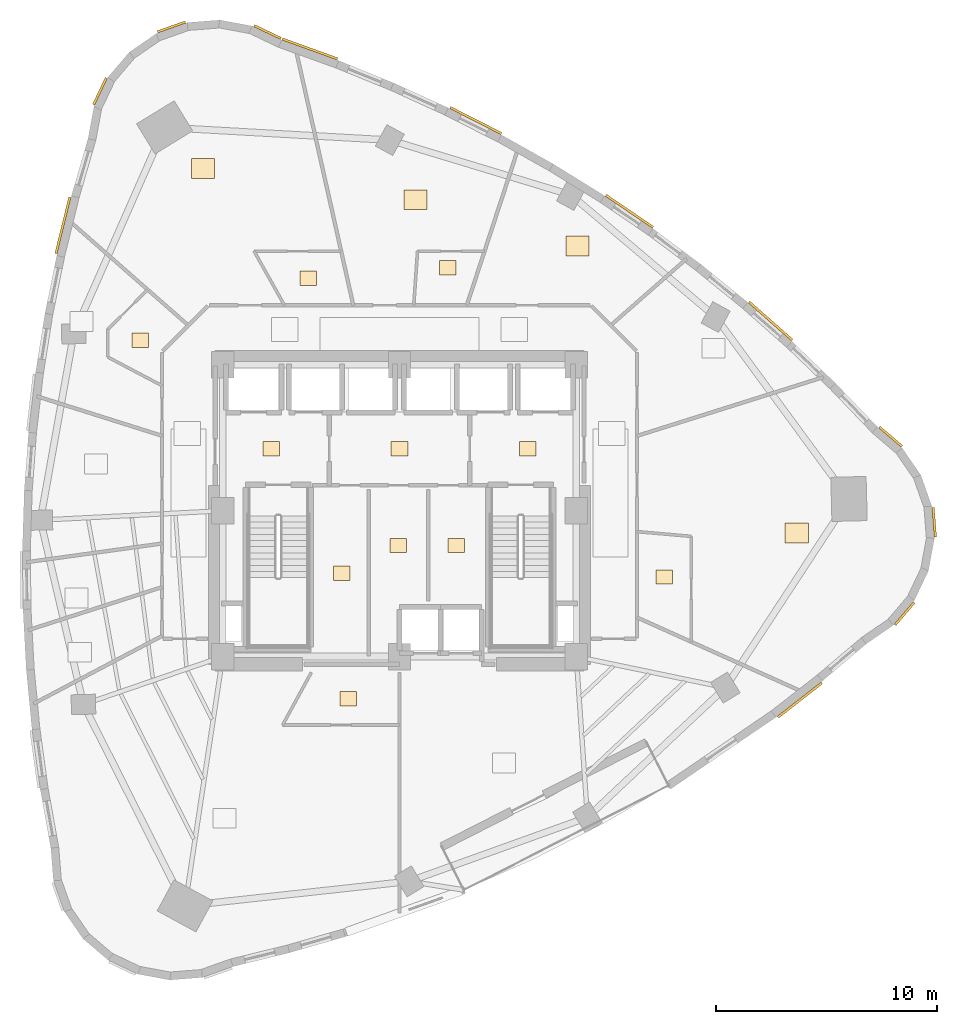
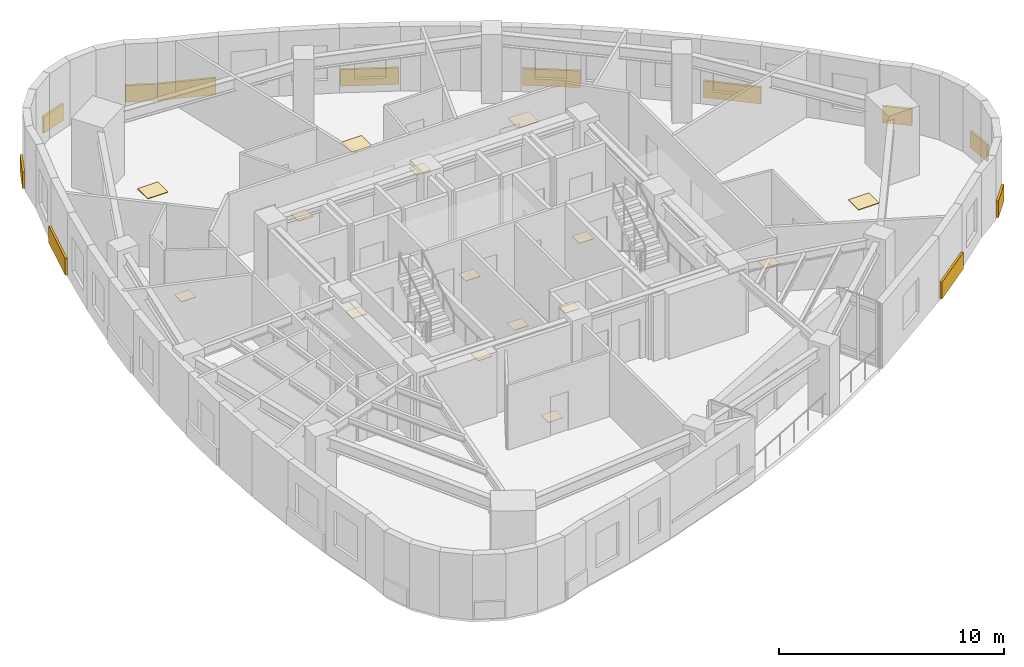
# One storey, part 11 of 11: 27 coverings.
"""IFC4 building model written with IfcOpenShell, lengths in metres."""

from ifc_helpers import new_model, si_unit, direction, frame, origin, origin_2d, place, context, subcontext, project, spatial, rectangle, extrude, material, layer, layer_set, type_object, element, save


model = new_model("IFC4")

# Units and contexts
model_context = context("Model", 3, precision=1e-05, world=origin(), true_north=direction((0.0, 1.0)))
body_context = subcontext(model_context, "Body", "Model", "MODEL_VIEW")
ifc_project = project(units=[si_unit("LENGTHUNIT", "METRE"), si_unit("AREAUNIT", "SQUARE_METRE"), si_unit("VOLUMEUNIT", "CUBIC_METRE"), si_unit("PLANEANGLEUNIT", "RADIAN"), si_unit("MASSUNIT", "GRAM", prefix="KILO")], contexts=[model_context])

# Site, building, storey
site_placement = place(None, origin())
site = spatial("IfcSite", under=ifc_project, at=site_placement, CompositionType="ELEMENT")
building_placement = place(site_placement, origin())
building = spatial("IfcBuilding", under=site, at=building_placement, Name="Ndelora Gate Hotel", CompositionType="ELEMENT")
storey_placement = place(building_placement, frame((0.0, 0.0, 108.5)))
storey = spatial("IfcBuildingStorey", under=building, at=storey_placement, Name="L26", CompositionType="ELEMENT", Elevation=108.5)

# Coverings
ifc_material_1 = material(Name="Terracotta Fired Clay Brick Slip Cladding", Category="masonry")
ifc_layer_1 = layer(ifc_material_1, 0.110107421875)
ifc_layer_set_1 = layer_set([ifc_layer_1], Name="Terracotta Fired Clay Brick Slip Cladding")
covering_type_1 = type_object("IfcCoveringType", Name="COV-CLAD-BRK", PredefinedType="CLADDING", material=ifc_layer_set_1)
for number, where, z_axis, x_axis, name in (
    (1, (-5.97802734375, 21.669921875, 0.10009765625), (0.0, 0.0, 1.0), (-0.90258528435, 0.430511096808, 0.0), "L26 Rounded-Corner Brick Cladding Band 1"),
    (2, (-10.32421875, 21.897705078125, 0.10009765625), (0.0, 0.0, 1.0), (0.942641491092, 0.333806859234, 0.0), "L26 Rounded-Corner Brick Cladding Band 4"),
    (3, (-13.558837890625, 18.9853515625, 0.10009765625), (0.0, 0.0, 1.0), (0.430511096808, 0.90258528435, 0.0), "L26 Rounded-Corner Brick Cladding Band 7"),
):
    element("IfcCovering", number, at=place(storey_placement, frame(where, z_axis=z_axis, x_axis=x_axis)), inside=storey, type_object=covering_type_1, Name=name, PredefinedType="CLADDING", context=body_context, shape_type="SweptSolid", body=[
        extrude(rectangle(XDim=1.3359375, YDim=0.110107421875, at=origin_2d()), origin(), (0.0, 0.0, 1.0), 0.89990234375),
    ])
covering_1_placement = place(storey_placement, frame((-15.237060546875, 12.914306640625, 0.10009765625), z_axis=(0.0, 0.0, 1.0), x_axis=(0.239041909578, 0.971009250968, 0.0)))
element("IfcCovering", 4, at=covering_1_placement, inside=storey, type_object=covering_type_1, Name="L26 Rounded-Corner Brick Cladding Band 10", PredefinedType="CLADDING", context=body_context, shape_type="SweptSolid", body=[
    extrude(rectangle(XDim=2.626953125, YDim=0.110107421875, at=origin_2d()), origin(), (0.0, 0.0, 1.0), 0.89990234375),
])
covering_2_placement = place(storey_placement, frame((18.12548828125, -8.567138671875, 0.10009765625), z_axis=(0.0, 0.0, 1.0), x_axis=(0.788333005168, 0.615248789485, 0.0)))
element("IfcCovering", 5, at=covering_2_placement, inside=storey, type_object=covering_type_1, Name="L26 Rounded-Corner Brick Cladding Band 37", PredefinedType="CLADDING", context=body_context, shape_type="SweptSolid", body=[
    extrude(rectangle(XDim=2.52001953125, YDim=0.110107421875, at=origin_2d()), origin(), (0.0, 0.0, 1.0), 0.89990234375),
])
for number, where, z_axis, x_axis, name in (
    (6, (22.85888671875, -4.664306640625, 0.10009765625), (0.0, 0.0, 1.0), (0.64944804833, 0.7604059656, 0.0), "L26 Rounded-Corner Brick Cladding Band 40"),
    (7, (24.203857421875, -0.525390625, 0.10009765625), (0.0, 0.0, 1.0), (-0.078459095728, 0.996917333733, 0.0), "L26 Rounded-Corner Brick Cladding Band 43"),
    (8, (22.227783203125, 3.352783203125, 0.10009765625), (0.0, 0.0, 1.0), (-0.7604059656, 0.64944804833, 0.0), "L26 Rounded-Corner Brick Cladding Band 46"),
):
    element("IfcCovering", number, at=place(storey_placement, frame(where, z_axis=z_axis, x_axis=x_axis)), inside=storey, type_object=covering_type_1, Name=name, PredefinedType="CLADDING", context=body_context, shape_type="SweptSolid", body=[
        extrude(rectangle(XDim=1.3359375, YDim=0.110107421875, at=origin_2d()), origin(), (0.0, 0.0, 1.0), 0.89990234375),
    ])
covering_3_placement = place(storey_placement, frame((16.797119140625, 8.586181640625, 0.10009765625), z_axis=(0.0, 0.0, 1.0), x_axis=(-0.749418134297, 0.662097017051, 0.0)))
element("IfcCovering", 9, at=covering_3_placement, inside=storey, type_object=covering_type_1, Name="L26 Rounded-Corner Brick Cladding Band 49", PredefinedType="CLADDING", context=body_context, shape_type="SweptSolid", body=[
    extrude(rectangle(XDim=2.60791015625, YDim=0.110107421875, at=origin_2d()), origin(), (0.0, 0.0, 1.0), 0.89990234375),
])
covering_4_placement = place(storey_placement, frame((10.405517578125, 13.5546875, 0.10009765625), z_axis=(0.0, 0.0, 1.0), x_axis=(-0.826884319778, 0.562372049186, 0.0)))
element("IfcCovering", 10, at=covering_4_placement, inside=storey, type_object=covering_type_1, Name="L26 Rounded-Corner Brick Cladding Band 52", PredefinedType="CLADDING", context=body_context, shape_type="SweptSolid", body=[
    extrude(rectangle(XDim=2.580078125, YDim=0.110107421875, at=origin_2d()), origin(), (0.0, 0.0, 1.0), 0.89990234375),
])
covering_5_placement = place(storey_placement, frame((3.45361328125, 17.660400390625, 0.10009765625), z_axis=(0.0, 0.0, 1.0), x_axis=(-0.891560513111, 0.452901591366, 0.0)))
element("IfcCovering", 11, at=covering_5_placement, inside=storey, type_object=covering_type_1, Name="L26 Rounded-Corner Brick Cladding Band 55", PredefinedType="CLADDING", context=body_context, shape_type="SweptSolid", body=[
    extrude(rectangle(XDim=2.593994140625, YDim=0.110107421875, at=origin_2d()), origin(), (0.0, 0.0, 1.0), 0.89990234375),
])
covering_6_placement = place(storey_placement, frame((-4.0576171875, 20.90283203125, 0.10009765625), z_axis=(0.0, 0.0, 1.0), x_axis=(-0.940644056006, 0.339394696335, 0.0)))
element("IfcCovering", 12, at=covering_6_placement, inside=storey, type_object=covering_type_1, Name="L26 Rounded-Corner Brick Cladding Band 58", PredefinedType="CLADDING", context=body_context, shape_type="SweptSolid", body=[
    extrude(rectangle(XDim=2.65087890625, YDim=0.110107421875, at=origin_2d()), origin(), (0.0, 0.0, 1.0), 0.89990234375),
])
ifc_material_2 = material(Name="Engineered Highland Oak Parquet", Category="wood")
ifc_layer_2 = layer(ifc_material_2, 0.030029296875)
ifc_layer_set_2 = layer_set([ifc_layer_2], Name="Engineered Highland Oak Parquet")
covering_type_2 = type_object("IfcCoveringType", Name="COV-FLR-PARQ", PredefinedType="FLOORING", material=ifc_layer_set_2)
for number, where, z_axis, x_axis, name in (
    (13, (17.982421875, -1.013427734375, 0.0), (0.0, 0.0, 1.0), (1.0, 0.0, 0.0), "L26 Club King Junior Suite 2902 Oak Parquet Flooring"),
    (14, (8.057861328125, 11.989990234375, 0.0), (0.0, 0.0, 1.0), (1.0, 0.0, 0.0), "L26 Diplomatic Meeting Room Oak Parquet Flooring"),
    (15, (0.72216796875, 14.077392578125, 0.0), (0.0, 0.0, 1.0), (1.0, 0.0, 0.0), "L26 Panoramic South Diplomatic Suite 2903 Oak Parquet Flooring"),
    (16, (-8.894287109375, 15.4931640625, 0.0), (0.0, 0.0, 1.0), (1.0, 0.0, 0.0), "L26 Corner Club Suite 2904 Oak Parquet Flooring"),
):
    element("IfcCovering", number, at=place(storey_placement, frame(where, z_axis=z_axis, x_axis=x_axis)), inside=storey, type_object=covering_type_2, Name=name, PredefinedType="FLOORING", context=body_context, shape_type="SweptSolid", body=[
        extrude(rectangle(XDim=1.050048828125, YDim=0.89990234375, at=origin_2d()), origin(), (0.0, 0.0, 1.0), 0.030029296875),
    ])
ifc_material_3 = material(Name="Non-Slip Porcelain Wet-Room Tile", Category="ceramic")
ifc_layer_3 = layer(ifc_material_3, 0.02490234375)
ifc_layer_set_3 = layer_set([ifc_layer_3], Name="Non-Slip Porcelain Wet-Room Tile")
covering_type_3 = type_object("IfcCoveringType", Name="COV-FLR-TILE", PredefinedType="FLOORING", material=ifc_layer_set_3)
for number, where, z_axis, x_axis, name in (
    (17, (-5.800048828125, 2.800048828125, 0.0), (0.0, 0.0, 1.0), (1.0, 0.0, 0.0), "L26 Firefighting Lift Lobby West Porcelain Tile Flooring"),
    (18, (5.800048828125, 2.800048828125, 0.0), (0.0, 0.0, 1.0), (1.0, 0.0, 0.0), "L26 Firefighting Lift Lobby East Porcelain Tile Flooring"),
    (19, (0.0, 2.800048828125, 0.0), (0.0, 0.0, 1.0), (1.0, 0.0, 0.0), "L26 Central Passenger Lift Lobby Porcelain Tile Flooring"),
    (20, (-2.625, -2.824951171875, 0.0), (0.0, 0.0, 1.0), (1.0, 0.0, 0.0), "L26 Core Cleaners Store Porcelain Tile Flooring"),
    (21, (-0.050048828125, -1.574951171875, 0.0), (0.0, 0.0, 1.0), (1.0, 0.0, 0.0), "L26 Core Telecoms Equipment Room Porcelain Tile Flooring"),
    (22, (2.574951171875, -1.574951171875, 0.0), (0.0, 0.0, 1.0), (1.0, 0.0, 0.0), "L26 Core Electrical Metering Room Porcelain Tile Flooring"),
    (23, (-2.318359375, -8.510009765625, 0.0), (0.0, 0.0, 1.0), (1.0, 0.0, 0.0), "L26 En-suite Bathroom 2901 Porcelain Tile Flooring"),
    (24, (11.97509765625, -3.001220703125, 0.0), (0.0, 0.0, 1.0), (1.0, 0.0, 0.0), "L26 En-suite Bathroom 2902 Porcelain Tile Flooring"),
    (25, (2.181884765625, 11.000732421875, 0.0), (0.0, 0.0, 1.0), (1.0, 0.0, 0.0), "L26 En-suite Bathroom 2903 Porcelain Tile Flooring"),
    (26, (-4.12939453125, 10.52490234375, 0.0), (0.0, 0.0, 1.0), (1.0, 0.0, 0.0), "L26 En-suite Bathroom 2904 Porcelain Tile Flooring"),
    (27, (-11.7265625, 7.71337890625, 0.0), (0.0, 0.0, 1.0), (1.0, 0.0, 0.0), "L26 En-suite Bathroom 2905 Porcelain Tile Flooring"),
):
    element("IfcCovering", number, at=place(storey_placement, frame(where, z_axis=z_axis, x_axis=x_axis)), inside=storey, type_object=covering_type_3, Name=name, PredefinedType="FLOORING", context=body_context, shape_type="SweptSolid", body=[
        extrude(rectangle(XDim=0.75, YDim=0.64990234375, at=origin_2d()), origin(), (0.0, 0.0, 1.0), 0.02490234375),
    ])

save(model, "model.ifc")
